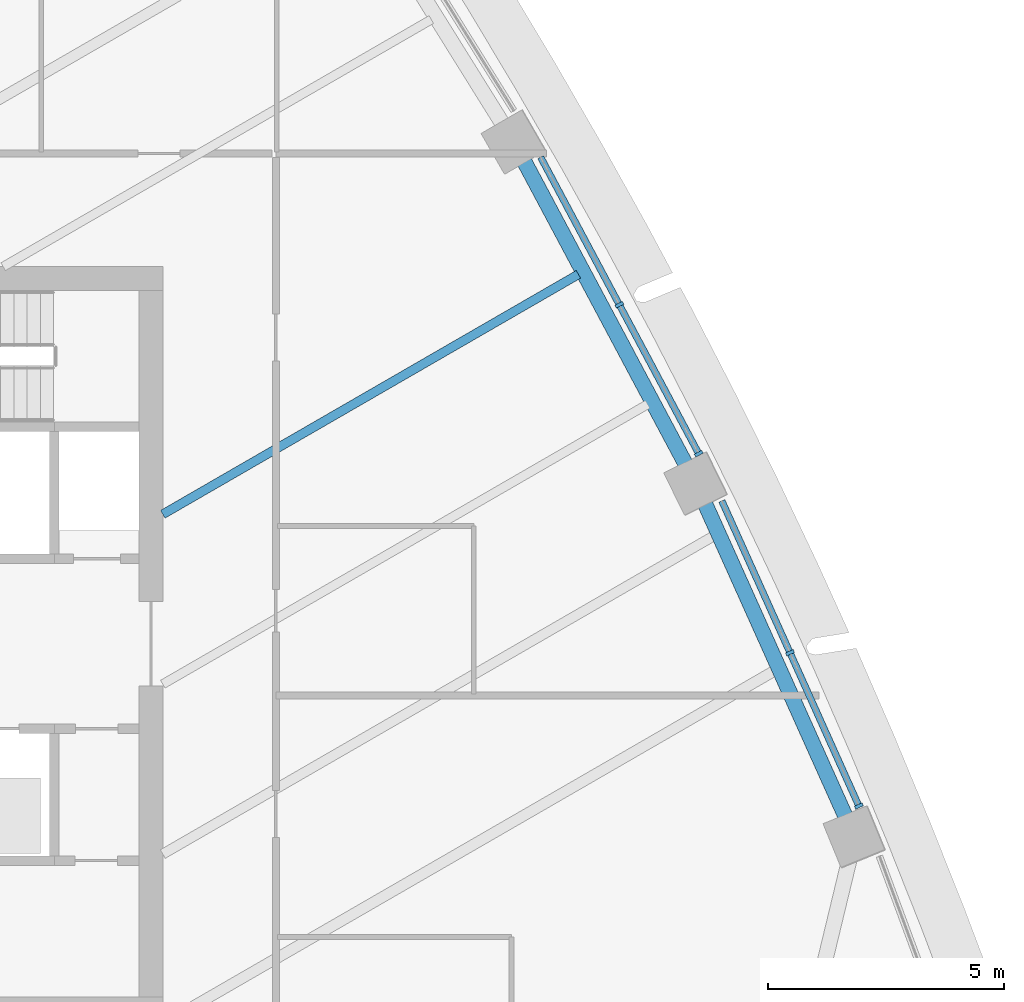
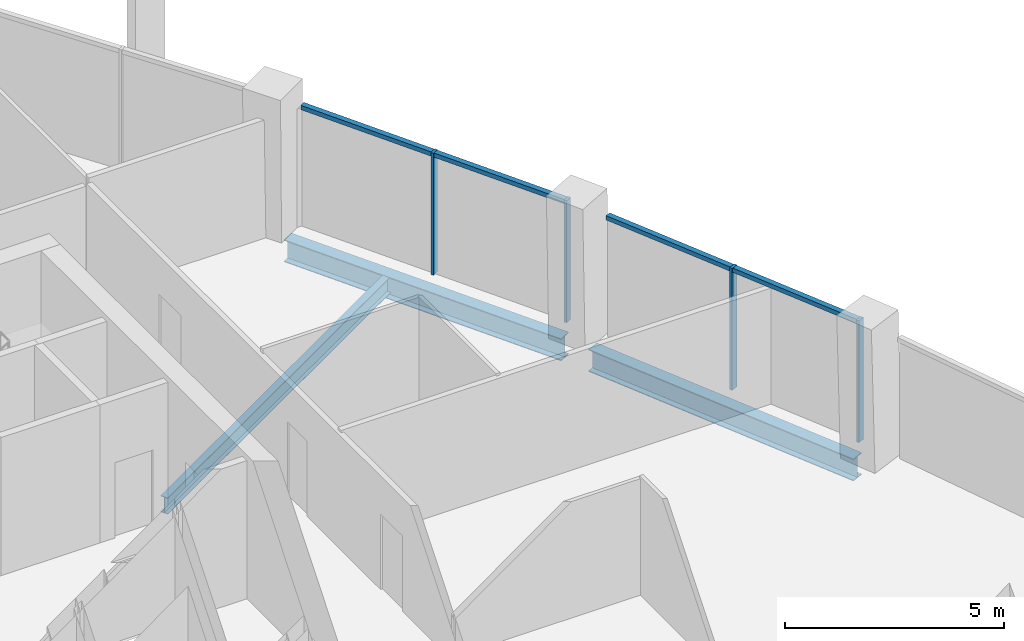
# One storey, part 5 of 19: 8 members, 3 beams, 2 elements without a shape of their own.
"""IFC4 building model written with IfcOpenShell, lengths in metres."""

import ifcopenshell
import ifcopenshell.guid

model = None  # the IFC model being written
_history = None  # IfcOwnerHistory: only IFC2X3 demands one
_inside = {}  # id of a spatial element -> (the spatial element, [elements in it])
_under = {}  # id of a project, library or spatial element -> (it, [spatial elements below it])
_declared = {}  # id of a project -> (the project, [libraries it declares])
_typed = {}  # id of a type object -> (the type object, [elements of that type])
_made_of = {}  # id of a material, layer set ... -> (it, [elements and type objects made of it])


def new_model(schema):
    """Start an empty IFC model of exactly this schema.

    Asked for "IFC4X3", IfcOpenShell would pick the latest addendum, in which some entities
    have other attributes; the version numbers below select the first issue.
    IFC2X3 requires an IfcOwnerHistory on every rooted entity: one is made here for all.
    """
    global model, _history
    if schema == "IFC4X3":
        model = ifcopenshell.file(schema_version=(4, 3, 0, 0))
    else:
        model = ifcopenshell.file(schema=schema)
    _inside.clear()
    _under.clear()
    _declared.clear()
    _typed.clear()
    _made_of.clear()
    _history = None
    if model.schema == "IFC2X3":
        org = make("IfcOrganization", Name="unknown")
        user = make(
            "IfcPersonAndOrganization",
            ThePerson=make("IfcPerson", FamilyName="unknown"),
            TheOrganization=org,
        )
        app = make(
            "IfcApplication",
            ApplicationDeveloper=org,
            Version="unknown",
            ApplicationFullName="unknown",
            ApplicationIdentifier="unknown",
        )
        _history = make(
            "IfcOwnerHistory",
            OwningUser=user,
            OwningApplication=app,
            ChangeAction="ADDED",
            CreationDate=0,
        )
    return model


def make(cls, **values):
    """One entity of the class cls with the attributes given. An attribute that is None is left unset."""
    return model.create_entity(
        cls, **{name: value for name, value in values.items() if value is not None}
    )


def rooted(cls, **values):
    """An entity with a GlobalId (a new one), such as an element, a storey or a relation."""
    return make(cls, GlobalId=ifcopenshell.guid.new(), OwnerHistory=_history, **values)


def si_unit(unit_type, name, prefix=None):
    """IfcSIUnit, for example si_unit("LENGTHUNIT", "METRE", prefix="MILLI")."""
    return make("IfcSIUnit", UnitType=unit_type, Prefix=prefix, Name=name)


def assignment(units):
    """IfcUnitAssignment: the units of a project."""
    return None if units is None else make("IfcUnitAssignment", Units=units)


def point(xyz):
    """IfcCartesianPoint."""
    return None if xyz is None else make("IfcCartesianPoint", Coordinates=xyz)


def direction(xyz):
    """IfcDirection."""
    return None if xyz is None else make("IfcDirection", DirectionRatios=xyz)


def frame(location, z_axis=None, x_axis=None):
    """IfcAxis2Placement3D, a coordinate frame: its origin and axes. An axis left out is left unset."""
    return make(
        "IfcAxis2Placement3D",
        Location=point(location),
        Axis=direction(z_axis),
        RefDirection=direction(x_axis),
    )


def frame_2d(location, x_axis=None):
    """IfcAxis2Placement2D, a coordinate frame in the plane: its origin and x axis."""
    return make(
        "IfcAxis2Placement2D", Location=point(location), RefDirection=direction(x_axis)
    )


def origin():
    """The frame at (0, 0, 0) with its axes left unset."""
    return frame((0.0, 0.0, 0.0))


def origin_2d():
    """The frame at (0, 0) in the plane with its x axis left unset."""
    return frame_2d((0.0, 0.0))


def place(relative_to, where):
    """IfcLocalPlacement: puts the frame where relative to a parent placement (None: the world)."""
    return make(
        "IfcLocalPlacement", PlacementRelTo=relative_to, RelativePlacement=where
    )


def context(
    kind, dimensions, precision=None, world=None, true_north=None, identifier=None
):
    """IfcGeometricRepresentationContext, for example the 3D "Model" context."""
    return make(
        "IfcGeometricRepresentationContext",
        ContextIdentifier=identifier,
        ContextType=kind,
        CoordinateSpaceDimension=dimensions,
        Precision=precision,
        WorldCoordinateSystem=world,
        TrueNorth=true_north,
    )


def subcontext(parent, identifier, kind, view, scale=None):
    """IfcGeometricRepresentationSubContext, for example "Body" below "Model"."""
    return make(
        "IfcGeometricRepresentationSubContext",
        ContextIdentifier=identifier,
        ContextType=kind,
        ParentContext=parent,
        TargetScale=scale,
        TargetView=view,
    )


def project(units=None, contexts=None):
    """IfcProject with its units and contexts."""
    return rooted(
        "IfcProject",
        Name="project",
        RepresentationContexts=contexts,
        UnitsInContext=assignment(units),
    )


def spatial(cls, under=None, at=None, **own):
    """A site, building, storey or space (cls), placed at a placement, below another one or the project."""
    s = rooted(cls, ObjectPlacement=at, **own)
    if under is not None:
        _under.setdefault(under.id(), (under, []))[1].append(s)
    return s


def profile(cls, at=None, kind="AREA", **sizes):
    """A parametric profile (cls). Its sizes go by their IFC names, for example OverallWidth=200.0."""
    return make(cls, ProfileType=kind, Position=at, **sizes)


def rectangle(**sizes):
    """IfcRectangleProfileDef."""
    return profile("IfcRectangleProfileDef", **sizes)


def i_section(**sizes):
    """IfcIShapeProfileDef."""
    return profile("IfcIShapeProfileDef", **sizes)


def extrude(swept, where, along, depth):
    """IfcExtrudedAreaSolid: the profile swept, set in the frame where, extruded along a direction by depth."""
    return make(
        "IfcExtrudedAreaSolid",
        SweptArea=swept,
        Position=where,
        ExtrudedDirection=direction(along),
        Depth=depth,
    )


def shape(context_of_items, identifier, shape_type, items):
    """IfcShapeRepresentation: the items that make up one representation, for example the "Body"."""
    return make(
        "IfcShapeRepresentation",
        ContextOfItems=context_of_items,
        RepresentationIdentifier=identifier,
        RepresentationType=shape_type,
        Items=items,
    )


def material(Name=None, Category=None):
    """IfcMaterial."""
    return make("IfcMaterial", Name=Name, Category=Category)


def layer(
    of_material, thickness, ventilated=None, Name=None, Category=None, Priority=None
):
    """IfcMaterialLayer: one layer of a wall or slab, of a material (None: an air gap)."""
    return make(
        "IfcMaterialLayer",
        Material=of_material,
        LayerThickness=thickness,
        IsVentilated=ventilated,
        Name=Name,
        Category=Category,
        Priority=Priority,
    )


def layer_set(layers, Name=None):
    """IfcMaterialLayerSet."""
    return make("IfcMaterialLayerSet", MaterialLayers=layers, LayerSetName=Name)


def material_profile(
    of_material, cross_section, Name=None, Category=None, Priority=None
):
    """IfcMaterialProfile: a cross section and its material."""
    return make(
        "IfcMaterialProfile",
        Name=Name,
        Material=of_material,
        Profile=cross_section,
        Priority=Priority,
        Category=Category,
    )


def profile_set(profiles, Name=None, composite=None):
    """IfcMaterialProfileSet."""
    return make(
        "IfcMaterialProfileSet",
        Name=Name,
        MaterialProfiles=profiles,
        CompositeProfile=composite,
    )


def made_of(thing, what):
    """Note that an element or type object is made of a material, layer set ...; save() writes the relation."""
    if what is not None:
        _made_of.setdefault(what.id(), (what, []))[1].append(thing)
    return thing


def type_object(cls, material=None, **own):
    """A type object (cls), such as IfcWallType, which elements share."""
    return made_of(rooted(cls, **own), material)


def element(
    cls,
    number,
    at=None,
    inside=None,
    cuts=None,
    type_object=None,
    material=None,
    context=None,
    identifier="Body",
    shape_type=None,
    held_by="IfcProductDefinitionShape",
    body=None,
    shapes=None,
    **own,
):
    """One element of the class cls, such as IfcWall. Its Tag is "e" and its number.

    at: its placement. inside: the storey or other place that contains it. cuts: it is an
    opening in that element (IfcRelVoidsElement). A single representation is given by context,
    identifier, shape_type and body (its items); several are given by shapes. held_by: the class
    of the entity that holds the representations. save() writes the other relations.
    """
    e = rooted(cls, Tag="e%d" % number, ObjectPlacement=at, **own)
    if body is not None:
        shapes = [shape(context, identifier, shape_type, body)]
    if shapes is not None:
        e.Representation = make(held_by, Representations=shapes)
    if inside is not None:
        _inside.setdefault(inside.id(), (inside, []))[1].append(e)
    if cuts is not None:
        rooted(
            "IfcRelVoidsElement", RelatingBuildingElement=cuts, RelatedOpeningElement=e
        )
    if type_object is not None:
        _typed.setdefault(type_object.id(), (type_object, []))[1].append(e)
    return made_of(e, material)


def aggregate(whole, parts):
    """IfcRelAggregates: a whole, such as a stair, and the parts it consists of."""
    return rooted("IfcRelAggregates", RelatingObject=whole, RelatedObjects=parts)


def save(model, path):
    """Write the relations noted so far, then the file.

    IfcRelAggregates (storeys below a building ...), IfcRelContainedInSpatialStructure (elements
    in a storey), IfcRelDefinesByType, IfcRelAssociatesMaterial and IfcRelDeclares: one each for
    every whole, place, type object, material and project.
    """
    for whole, parts in _under.values():
        aggregate(whole, parts)
    for where, things in _inside.values():
        rooted(
            "IfcRelContainedInSpatialStructure",
            RelatedElements=things,
            RelatingStructure=where,
        )
    for kind, things in _typed.values():
        rooted("IfcRelDefinesByType", RelatedObjects=things, RelatingType=kind)
    for what, things in _made_of.values():
        rooted("IfcRelAssociatesMaterial", RelatedObjects=things, RelatingMaterial=what)
    for by, libraries in _declared.values():
        rooted("IfcRelDeclares", RelatingContext=by, RelatedDefinitions=libraries)
    model.write(path)


model = new_model("IFC4")

# Units and contexts
model_context = context("Model", 3, precision=1e-05, world=origin(), true_north=direction((0.0, 1.0)))
body_context = subcontext(model_context, "Body", "Model", "MODEL_VIEW")
ifc_project = project(units=[si_unit("LENGTHUNIT", "METRE"), si_unit("AREAUNIT", "SQUARE_METRE"), si_unit("VOLUMEUNIT", "CUBIC_METRE"), si_unit("PLANEANGLEUNIT", "RADIAN"), si_unit("MASSUNIT", "GRAM", prefix="KILO")], contexts=[model_context])

# Site, building, storey
site_placement = place(None, origin())
site = spatial("IfcSite", under=ifc_project, at=site_placement, CompositionType="ELEMENT")
building_placement = place(site_placement, origin())
building = spatial("IfcBuilding", under=site, at=building_placement, Name="Sierra Prisma Convention Tower", CompositionType="ELEMENT")
storey_placement = place(building_placement, frame((0.0, 0.0, 185.800048828125)))
storey = spatial("IfcBuildingStorey", under=building, at=storey_placement, Name="L41", CompositionType="ELEMENT", Elevation=185.800048828125)

# Curtain wall, members
ifc_material_1 = material(Name="Aluminium and glass curtain wall", Category="aluminium")
ifc_layer = layer(ifc_material_1, 0.179931640625)
ifc_layer_set = layer_set([ifc_layer], Name="CW-1 Plain shaft curtain wall")
curtain_wall_type = type_object("IfcCurtainWallType", Name="CW-1 Plain shaft curtain wall", PredefinedType="NOTDEFINED", material=ifc_layer_set)
curtain_wall_1_placement = place(storey_placement, origin())
curtain_wall_1 = element("IfcCurtainWall", 1, at=curtain_wall_1_placement, inside=storey, type_object=curtain_wall_type, Name="CW-1 NE2 L41", PredefinedType="NOTDEFINED")
ifc_material_2 = material(Name="Aluminium 6063-T6 bronze anodised", Category="aluminium")
ifc_material_profile_1 = material_profile(ifc_material_2, rectangle(XDim=0.179931640625, YDim=0.070068359375, at=origin_2d()), Name="ALU MULLION 70x180")
ifc_profile_set_1 = profile_set([ifc_material_profile_1], Name="Aluminium 6063-T6 bronze anodised")
member_type_1 = type_object("IfcMemberType", Name="CW mullion bronze", PredefinedType="MULLION", material=ifc_profile_set_1)
member_1_placement = place(storey_placement, frame((25.7685546875, -3.443359375, 0.0), z_axis=(0.0, 0.0, 1.0), x_axis=(-0.912219086617, -0.409702743477, 0.0)))
member_1 = element("IfcMember", 2, at=member_1_placement, type_object=member_type_1, Name="CW-1 mullion NE2.1", PredefinedType="MULLION", context=body_context, shape_type="SweptSolid", body=[
    extrude(rectangle(XDim=0.179931640625, YDim=0.070068359375, at=origin_2d()), origin(), (0.0, 0.0, 1.0), 3.39990234375),
])
member_2_placement = place(storey_placement, frame((24.307861328125, -0.19091796875, 0.0), z_axis=(0.0, 0.0, 1.0), x_axis=(-0.912219086617, -0.409702743477, 0.0)))
member_2 = element("IfcMember", 3, at=member_2_placement, type_object=member_type_1, Name="CW-1 mullion NE2.2", PredefinedType="MULLION", context=body_context, shape_type="SweptSolid", body=[
    extrude(rectangle(XDim=0.179931640625, YDim=0.070068359375, at=origin_2d()), origin(), (0.0, 0.0, 1.0), 3.39990234375),
])

curtain_wall_2_placement = place(storey_placement, origin())
curtain_wall_2 = element("IfcCurtainWall", 4, at=curtain_wall_2_placement, inside=storey, type_object=curtain_wall_type, Name="CW-1 NE3 L41", PredefinedType="NOTDEFINED")
member_3_placement = place(storey_placement, frame((22.37060546875, 4.032470703125, 0.0), z_axis=(0.0, 0.0, 1.0), x_axis=(-0.882438612843, -0.470427565693, 0.0)))
member_3 = element("IfcMember", 5, at=member_3_placement, type_object=member_type_1, Name="CW-1 mullion NE3.1", PredefinedType="MULLION", context=body_context, shape_type="SweptSolid", body=[
    extrude(rectangle(XDim=0.179931640625, YDim=0.070068359375, at=origin_2d()), origin(), (0.0, 0.0, 1.0), 3.39990234375),
])
member_4_placement = place(storey_placement, frame((20.685791015625, 7.192626953125, 0.0), z_axis=(0.0, 0.0, 1.0), x_axis=(-0.882438612843, -0.470427565693, 0.0)))
member_4 = element("IfcMember", 6, at=member_4_placement, type_object=member_type_1, Name="CW-1 mullion NE3.2", PredefinedType="MULLION", context=body_context, shape_type="SweptSolid", body=[
    extrude(rectangle(XDim=0.179931640625, YDim=0.070068359375, at=origin_2d()), origin(), (0.0, 0.0, 1.0), 3.39990234375),
])

# Member
ifc_material_3 = material(Name="Aluminium 6063-T6 bronze anodised", Category="aluminium")
ifc_material_profile_2 = material_profile(ifc_material_3, rectangle(XDim=0.139892578125, YDim=0.1201171875, at=origin_2d()), Name="ALU TRANSOM 120x140")
ifc_profile_set_2 = profile_set([ifc_material_profile_2], Name="Aluminium 6063-T6 bronze anodised")
member_type_2 = type_object("IfcMemberType", Name="CW transom bronze", PredefinedType="USERDEFINED", material=ifc_profile_set_2)
member_5_placement = place(storey_placement, frame((25.75439453125, -3.411376953125, 3.33984375), z_axis=(-0.409725638655, 0.912208803415, 0.0), x_axis=(-0.912208803415, -0.409725638655, 0.0)))
member_5 = element("IfcMember", 7, at=member_5_placement, type_object=member_type_2, Name="CW-1 transom NE2.1", ObjectType="TRANSOM", PredefinedType="USERDEFINED", context=body_context, shape_type="SweptSolid", body=[
    extrude(rectangle(XDim=0.139892578125, YDim=0.1201171875, at=origin_2d()), origin(), (0.0, 0.0, 1.0), 3.495361328125),
])

member_6_placement = place(storey_placement, frame((24.293701171875, -0.158935546875, 3.33984375), z_axis=(-0.409725638655, 0.912208803415, 0.0), x_axis=(-0.912208803415, -0.409725638655, 0.0)))
member_6 = element("IfcMember", 8, at=member_6_placement, type_object=member_type_2, Name="CW-1 transom NE2.2", ObjectType="TRANSOM", PredefinedType="USERDEFINED", context=body_context, shape_type="SweptSolid", body=[
    extrude(rectangle(XDim=0.139892578125, YDim=0.1201171875, at=origin_2d()), origin(), (0.0, 0.0, 1.0), 3.495361328125),
])

aggregate(curtain_wall_1, [member_1, member_2, member_5, member_6])

member_7_placement = place(storey_placement, frame((22.35400390625, 4.063232421875, 3.33984375), z_axis=(-0.470368083521, 0.882470320184, 0.0), x_axis=(-0.882470320184, -0.470368083521, 0.0)))
member_7 = element("IfcMember", 9, at=member_7_placement, type_object=member_type_2, Name="CW-1 transom NE3.1", ObjectType="TRANSOM", PredefinedType="USERDEFINED", context=body_context, shape_type="SweptSolid", body=[
    extrude(rectangle(XDim=0.139892578125, YDim=0.1201171875, at=origin_2d()), origin(), (0.0, 0.0, 1.0), 3.51123046875),
])

member_8_placement = place(storey_placement, frame((20.66943359375, 7.2236328125, 3.33984375), z_axis=(-0.470451091077, 0.88242607107, 0.0), x_axis=(-0.88242607107, -0.470451091077, 0.0)))
member_8 = element("IfcMember", 10, at=member_8_placement, type_object=member_type_2, Name="CW-1 transom NE3.2", ObjectType="TRANSOM", PredefinedType="USERDEFINED", context=body_context, shape_type="SweptSolid", body=[
    extrude(rectangle(XDim=0.139892578125, YDim=0.1201171875, at=origin_2d()), origin(), (0.0, 0.0, 1.0), 3.51123046875),
])

aggregate(curtain_wall_2, [member_3, member_4, member_7, member_8])

# Beams
ifc_material_4 = material(Name="Steel ASTM A992 Gr 50", Category="steel")
ifc_material_profile_3 = material_profile(ifc_material_4, i_section(OverallWidth=0.18994140625, OverallDepth=0.45703125, WebThickness=0.009033203125, FlangeThickness=0.014404296875, at=origin_2d()), Name="W460x74")
ifc_profile_set_3 = profile_set([ifc_material_profile_3], Name="Steel ASTM A992 Gr 50")
beam_type_1 = type_object("IfcBeamType", Name="Floor joist W460x74", PredefinedType="JOIST", material=ifc_profile_set_3)
beam_1_placement = place(storey_placement, frame((19.818115234375, 7.837646484375, -0.378662109375), z_axis=(-0.866028667706, -0.499994346679, 0.0), x_axis=(0.499994346679, -0.866028667706, 0.0)))
element("IfcBeam", 11, at=beam_1_placement, inside=storey, type_object=beam_type_1, Name="Floor joist L41 NE07", PredefinedType="JOIST", context=body_context, shape_type="SweptSolid", body=[
    extrude(i_section(OverallWidth=0.18994140625, OverallDepth=0.45703125, WebThickness=0.009033203125, FlangeThickness=0.014404296875, at=origin_2d()), origin(), (0.0, 0.0, 1.0), 10.18212890625),
])
ifc_material_5 = material(Name="Steel ASTM A992 Gr 50", Category="steel")
ifc_material_profile_4 = material_profile(ifc_material_5, i_section(OverallWidth=0.324951171875, OverallDepth=0.615966796875, WebThickness=0.013916015625, FlangeThickness=0.021484375, at=origin_2d()), Name="W610x174")
ifc_profile_set_4 = profile_set([ifc_material_profile_4], Name="Steel ASTM A992 Gr 50")
beam_type_2 = type_object("IfcBeamType", Name="Spandrel beam W610x174", PredefinedType="BEAM", material=ifc_profile_set_4)
beam_2_placement = place(storey_placement, frame((25.5263671875, -3.75732421875, -0.4580078125), z_axis=(-0.409706005871, 0.912217621378, 0.0), x_axis=(-0.912217621378, -0.409706005871, 0.0)))
element("IfcBeam", 12, at=beam_2_placement, inside=storey, type_object=beam_type_2, Name="Spandrel L41-08", PredefinedType="BEAM", context=body_context, shape_type="SweptSolid", body=[
    extrude(i_section(OverallWidth=0.324951171875, OverallDepth=0.615966796875, WebThickness=0.013916015625, FlangeThickness=0.021484375, at=origin_2d()), origin(), (0.0, 0.0, 1.0), 7.46044921875),
])
beam_3_placement = place(storey_placement, frame((22.135009765625, 3.73095703125, -0.4580078125), z_axis=(-0.470438762986, 0.882432643481, 0.0), x_axis=(-0.882432643481, -0.470438762986, 0.0)))
element("IfcBeam", 13, at=beam_3_placement, inside=storey, type_object=beam_type_2, Name="Spandrel L41-09", PredefinedType="BEAM", context=body_context, shape_type="SweptSolid", body=[
    extrude(i_section(OverallWidth=0.324951171875, OverallDepth=0.615966796875, WebThickness=0.013916015625, FlangeThickness=0.021484375, at=origin_2d()), origin(), (0.0, 0.0, 1.0), 7.460693359375),
])

save(model, "model.ifc")
